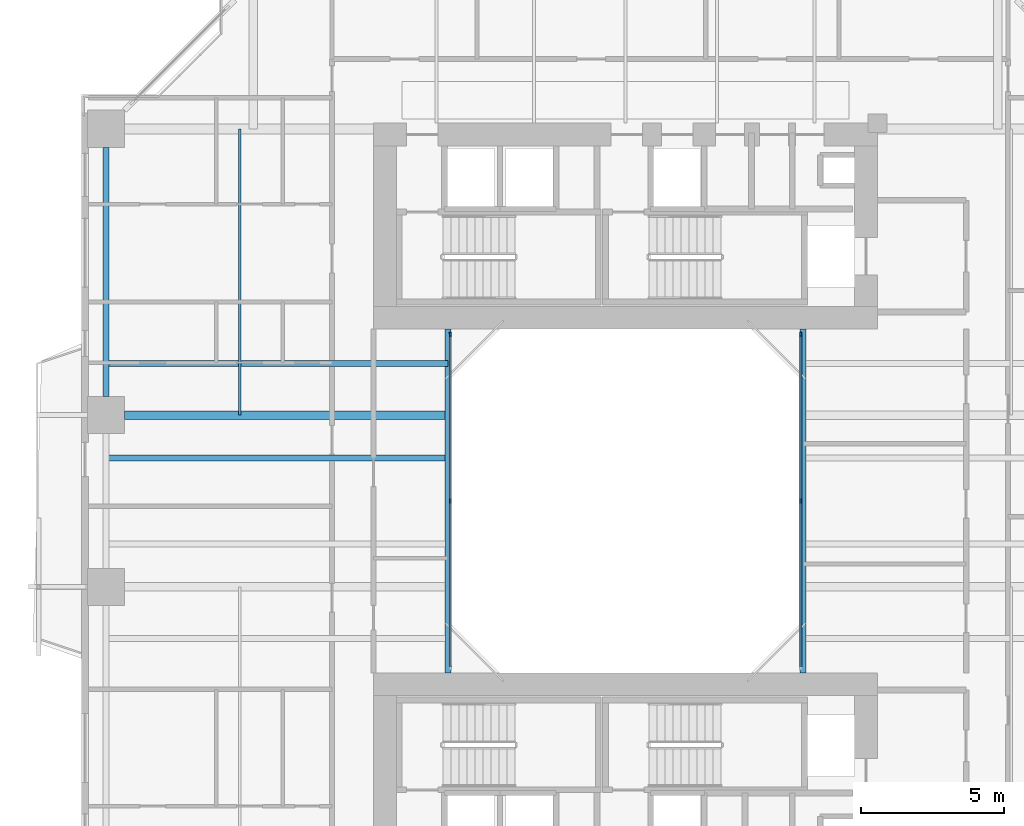
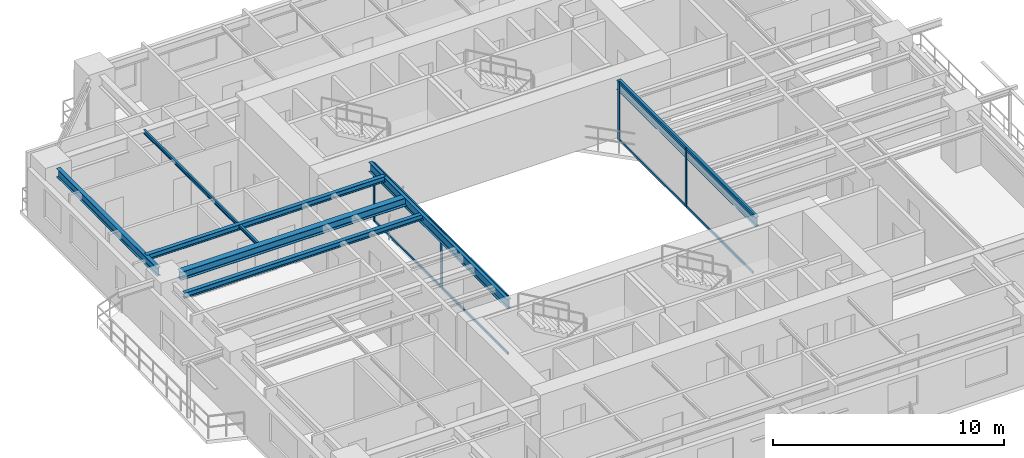
# One storey, part 4 of 24: 12 members, 7 beams, 2 elements without a shape of their own.
"""IFC4 building model written with IfcOpenShell, lengths in metres."""

from ifc_helpers import new_model, si_unit, direction, frame, origin, origin_2d, place, context, subcontext, project, spatial, rectangle, i_section, extrude, source, transform, mapped, material, layer, layer_set, material_profile, profile_set, type_object, element, aggregate, save


model = new_model("IFC4")

# Units and contexts
model_context = context("Model", 3, precision=1e-05, world=origin(), true_north=direction((0.0, 1.0)))
body_context = subcontext(model_context, "Body", "Model", "MODEL_VIEW")
ifc_project = project(units=[si_unit("LENGTHUNIT", "METRE"), si_unit("AREAUNIT", "SQUARE_METRE"), si_unit("VOLUMEUNIT", "CUBIC_METRE"), si_unit("PLANEANGLEUNIT", "RADIAN"), si_unit("MASSUNIT", "GRAM", prefix="KILO"), si_unit("THERMODYNAMICTEMPERATUREUNIT", "KELVIN"), si_unit("POWERUNIT", "WATT")], contexts=[model_context])

# Site, building, storey
site_placement = place(None, origin())
site = spatial("IfcSite", under=ifc_project, at=site_placement, CompositionType="ELEMENT")
building_placement = place(site_placement, origin())
building = spatial("IfcBuilding", under=site, at=building_placement, Name="Qiaomeng Ring Towers", CompositionType="ELEMENT")
storey_placement = place(building_placement, frame((0.0, 0.0, 63.25)))
storey = spatial("IfcBuildingStorey", under=building, at=storey_placement, Name="L17", CompositionType="ELEMENT", Elevation=63.25)

# Beams
ifc_material_1 = material(Name="Steel Q355B", Category="steel")
ifc_material_profile_1 = material_profile(ifc_material_1, i_section(OverallWidth=0.199951171875, OverallDepth=0.5, WebThickness=0.010009765625, FlangeThickness=0.01611328125, FilletRadius=0.02001953125, at=origin_2d()), Name="HN 500x200x10x16")
ifc_profile_set_1 = profile_set([ifc_material_profile_1], Name="Steel Q355B")
beam_type_1 = type_object("IfcBeamType", Name="STR-BM-HN500", PredefinedType="BEAM", material=ifc_profile_set_1)
shared_shape_1 = source(origin(), body_context, "Body", "SweptSolid", [
    extrude(i_section(OverallWidth=0.199951171875, OverallDepth=0.5, WebThickness=0.010009765625, FlangeThickness=0.01611328125, FilletRadius=0.02001953125, at=origin_2d()), origin(), (0.0, 0.0, 1.0), 12.0),
])
for number, where, z_axis, x_axis, name in (
    (1, (12.800048828125, 17.0, 2.820068359375), (0.0, 1.0, 0.0), (-1.0, 0.0, 0.0), "L17 beam STR-BM-L17-WELL-W"),
    (2, (25.199951171875, 17.0, 2.820068359375), (0.0, 1.0, 0.0), (-1.0, 0.0, 0.0), "L17 beam STR-BM-L17-WELL-E"),
):
    element("IfcBeam", number, at=place(storey_placement, frame(where, z_axis=z_axis, x_axis=x_axis)), inside=storey, type_object=beam_type_1, Name=name, PredefinedType="BEAM", context=body_context, shape_type="MappedRepresentation", body=[
        mapped(shared_shape_1, transform((0.0, 0.0, 0.0), x_axis=(1.0, 0.0, 0.0), y_axis=(0.0, 1.0, 0.0), z_axis=(0.0, 0.0, 1.0), scale=1.0)),
    ])
ifc_material_profile_2 = material_profile(ifc_material_1, i_section(OverallWidth=0.199951171875, OverallDepth=0.449951171875, WebThickness=0.009033203125, FlangeThickness=0.013916015625, FilletRadius=0.01806640625, at=origin_2d()), Name="HN 450x200x9x14")
ifc_profile_set_2 = profile_set([ifc_material_profile_2], Name="Steel Q355B")
beam_type_2 = type_object("IfcBeamType", Name="STR-BM-HN450", PredefinedType="SPANDREL", material=ifc_profile_set_2)
shared_shape_2 = source(origin(), body_context, "Body", "SweptSolid", [
    extrude(i_section(OverallWidth=0.199951171875, OverallDepth=0.449951171875, WebThickness=0.009033203125, FlangeThickness=0.013916015625, FilletRadius=0.01806640625, at=origin_2d()), origin(), (0.0, 0.0, 1.0), 8.7021484375),
])
beam_1_placement = place(storey_placement, frame((0.85009765625, 35.35107421875, 2.844970703125), z_axis=(0.0, -1.0, 0.0), x_axis=(1.0, 0.0, 0.0)))
element("IfcBeam", 3, at=beam_1_placement, inside=storey, type_object=beam_type_2, Name="L17 beam STR-SP-L17-T1-W4-W3", PredefinedType="SPANDREL", context=body_context, shape_type="MappedRepresentation", body=[
    mapped(shared_shape_2, transform((0.0, 0.0, 0.0), x_axis=(1.0, 0.0, 0.0), y_axis=(0.0, 1.0, 0.0), z_axis=(0.0, 0.0, 1.0), scale=1.0)),
])
ifc_material_profile_3 = material_profile(ifc_material_1, i_section(OverallWidth=0.300048828125, OverallDepth=0.43994140625, WebThickness=0.010986328125, FlangeThickness=0.01806640625, FilletRadius=0.02392578125, at=origin_2d()), Name="HM 440x300x11x18")
ifc_profile_set_3 = profile_set([ifc_material_profile_3], Name="Steel Q355B")
beam_type_3 = type_object("IfcBeamType", Name="STR-BM-HM440", PredefinedType="BEAM", material=ifc_profile_set_3)
shared_shape_3 = source(origin(), body_context, "Body", "SweptSolid", [
    extrude(i_section(OverallWidth=0.300048828125, OverallDepth=0.43994140625, WebThickness=0.010986328125, FlangeThickness=0.01806640625, FilletRadius=0.02392578125, at=origin_2d()), origin(), (0.0, 0.0, 1.0), 11.301025390625),
])
beam_2_placement = place(storey_placement, frame((1.4990234375, 26.0, 2.85009765625), z_axis=(1.0, 0.0, 0.0), x_axis=(0.0, 1.0, 0.0)))
element("IfcBeam", 4, at=beam_2_placement, inside=storey, type_object=beam_type_3, Name="L17 beam STR-BM-L17-T1-RAD-W3", PredefinedType="BEAM", context=body_context, shape_type="MappedRepresentation", body=[
    mapped(shared_shape_3, transform((0.0, 0.0, 0.0), x_axis=(1.0, 0.0, 0.0), y_axis=(0.0, 1.0, 0.0), z_axis=(0.0, 0.0, 1.0), scale=1.0)),
])
ifc_material_profile_4 = material_profile(ifc_material_1, i_section(OverallWidth=0.199951171875, OverallDepth=0.2939453125, WebThickness=0.008056640625, FlangeThickness=0.011962890625, FilletRadius=0.01806640625, at=origin_2d()), Name="HM 294x200x8x12")
ifc_profile_set_4 = profile_set([ifc_material_profile_4], Name="Steel Q355B")
beam_type_4 = type_object("IfcBeamType", Name="STR-BM-HM294", PredefinedType="JOIST", material=ifc_profile_set_4)
shared_shape_4 = source(origin(), body_context, "Body", "SweptSolid", [
    extrude(i_section(OverallWidth=0.199951171875, OverallDepth=0.2939453125, WebThickness=0.008056640625, FlangeThickness=0.011962890625, FilletRadius=0.01806640625, at=origin_2d()), origin(), (0.0, 0.0, 1.0), 11.949951171875),
])
for number, where, z_axis, x_axis, name in (
    (5, (0.85009765625, 24.5, 2.923095703125), (1.0, 0.0, 0.0), (0.0, 1.0, 0.0), "L17 beam STR-JST-L17-T1W-3"),
    (6, (0.85009765625, 27.800048828125, 2.923095703125), (1.0, 0.0, 0.0), (0.0, 1.0, 0.0), "L17 beam STR-JST-L17-T1W-4"),
):
    element("IfcBeam", number, at=place(storey_placement, frame(where, z_axis=z_axis, x_axis=x_axis)), inside=storey, type_object=beam_type_4, Name=name, PredefinedType="JOIST", context=body_context, shape_type="MappedRepresentation", body=[
        mapped(shared_shape_4, transform((0.0, 0.0, 0.0), x_axis=(1.0, 0.0, 0.0), y_axis=(0.0, 1.0, 0.0), z_axis=(0.0, 0.0, 1.0), scale=1.0)),
    ])
ifc_material_profile_5 = material_profile(ifc_material_1, i_section(OverallWidth=0.10009765625, OverallDepth=0.199951171875, WebThickness=0.005615234375, FlangeThickness=0.008056640625, FilletRadius=0.010986328125, at=origin_2d()), Name="HN 200x100x5.5x8")
ifc_profile_set_5 = profile_set([ifc_material_profile_5], Name="Steel Q355B")
beam_type_5 = type_object("IfcBeamType", Name="STR-BM-HN200", PredefinedType="JOIST", material=ifc_profile_set_5)
shared_shape_5 = source(origin(), body_context, "Body", "SweptSolid", [
    extrude(i_section(OverallWidth=0.10009765625, OverallDepth=0.199951171875, WebThickness=0.005615234375, FlangeThickness=0.008056640625, FilletRadius=0.010986328125, at=origin_2d()), origin(), (0.0, 0.0, 1.0), 10.0),
])
beam_3_placement = place(storey_placement, frame((5.52490234375, 26.0, 2.969970703125), z_axis=(0.0, 1.0, 0.0), x_axis=(-1.0, 0.0, 0.0)))
element("IfcBeam", 7, at=beam_3_placement, inside=storey, type_object=beam_type_5, Name="L17 beam STR-JST-L17-T1C-WN", PredefinedType="JOIST", context=body_context, shape_type="MappedRepresentation", body=[
    mapped(shared_shape_5, transform((0.0, 0.0, 0.0), x_axis=(1.0, 0.0, 0.0), y_axis=(0.0, 1.0, 0.0), z_axis=(0.0, 0.0, 1.0), scale=1.0)),
])

# Curtain wall, members
ifc_material_2 = material(Name="Fluorocarbon dark-grey aluminium", Category="aluminium")
ifc_layer = layer(ifc_material_2, 0.139892578125, Name="Fluorocarbon dark-grey aluminium")
ifc_layer_set = layer_set([ifc_layer], Name="Fluorocarbon dark-grey aluminium")
curtain_wall_type = type_object("IfcCurtainWallType", Name="ARC-CW-4", PredefinedType="NOTDEFINED", material=ifc_layer_set)
curtain_wall_1_placement = place(storey_placement, origin())
curtain_wall_1 = element("IfcCurtainWall", 8, at=curtain_wall_1_placement, inside=storey, type_object=curtain_wall_type, Name="L17 Curtain Wall CW4", PredefinedType="NOTDEFINED")
ifc_material_profile_6 = material_profile(ifc_material_2, rectangle(XDim=0.06494140625, YDim=0.159912109375, at=origin_2d()), Name="ALU MULL 65x160")
ifc_profile_set_6 = profile_set([ifc_material_profile_6], Name="Fluorocarbon dark-grey aluminium")
member_type_1 = type_object("IfcMemberType", Name="ARC-CWM-140", PredefinedType="MULLION", material=ifc_profile_set_6)
shared_shape_6 = source(origin(), body_context, "Body", "SweptSolid", [
    extrude(rectangle(XDim=0.06494140625, YDim=0.159912109375, at=origin_2d()), origin(), (0.0, 0.0, 1.0), 3.070068359375),
])
member_1_placement = place(storey_placement, frame((12.8798828125, 23.0, 0.0), z_axis=(0.0, 0.0, 1.0), x_axis=(-1.0, 0.0, 0.0)))
member_1 = element("IfcMember", 9, at=member_1_placement, type_object=member_type_1, Name="CW4 mullion 2", PredefinedType="MULLION", context=body_context, shape_type="MappedRepresentation", body=[
    mapped(shared_shape_6, transform((0.0, 0.0, 0.0), x_axis=(1.0, 0.0, 0.0), y_axis=(0.0, 1.0, 0.0), z_axis=(0.0, 0.0, 1.0), scale=1.0)),
])
member_2_placement = place(storey_placement, frame((12.8798828125, 28.8173828125, 0.0), z_axis=(0.0, 0.0, 1.0), x_axis=(-1.0, 0.0, 0.0)))
member_2 = element("IfcMember", 10, at=member_2_placement, type_object=member_type_1, Name="CW4 mullion 3", PredefinedType="MULLION", context=body_context, shape_type="MappedRepresentation", body=[
    mapped(shared_shape_6, transform((0.0, 0.0, 0.0), x_axis=(1.0, 0.0, 0.0), y_axis=(0.0, 1.0, 0.0), z_axis=(0.0, 0.0, 1.0), scale=1.0)),
])

curtain_wall_2_placement = place(storey_placement, origin())
curtain_wall_2 = element("IfcCurtainWall", 11, at=curtain_wall_2_placement, inside=storey, type_object=curtain_wall_type, Name="L17 Curtain Wall CW4", PredefinedType="NOTDEFINED")
member_3_placement = place(storey_placement, frame((25.1201171875, 23.0, 0.0), z_axis=(0.0, 0.0, 1.0), x_axis=(-1.0, 0.0, 0.0)))
member_3 = element("IfcMember", 12, at=member_3_placement, type_object=member_type_1, Name="CW4 mullion 2", PredefinedType="MULLION", context=body_context, shape_type="MappedRepresentation", body=[
    mapped(shared_shape_6, transform((0.0, 0.0, 0.0), x_axis=(1.0, 0.0, 0.0), y_axis=(0.0, 1.0, 0.0), z_axis=(0.0, 0.0, 1.0), scale=1.0)),
])
member_4_placement = place(storey_placement, frame((25.1201171875, 28.8173828125, 0.0), z_axis=(0.0, 0.0, 1.0), x_axis=(-1.0, 0.0, 0.0)))
member_4 = element("IfcMember", 13, at=member_4_placement, type_object=member_type_1, Name="CW4 mullion 3", PredefinedType="MULLION", context=body_context, shape_type="MappedRepresentation", body=[
    mapped(shared_shape_6, transform((0.0, 0.0, 0.0), x_axis=(1.0, 0.0, 0.0), y_axis=(0.0, 1.0, 0.0), z_axis=(0.0, 0.0, 1.0), scale=1.0)),
])

# Member
ifc_material_profile_7 = material_profile(ifc_material_2, rectangle(XDim=0.06494140625, YDim=0.1298828125, at=origin_2d()), Name="ALU TRAN 65x130")
ifc_profile_set_7 = profile_set([ifc_material_profile_7], Name="Fluorocarbon dark-grey aluminium")
member_type_2 = type_object("IfcMemberType", Name="ARC-CWT-120", PredefinedType="USERDEFINED", material=ifc_profile_set_7)
shared_shape_7 = source(origin(), body_context, "Body", "SweptSolid", [
    extrude(rectangle(XDim=0.06494140625, YDim=0.1298828125, at=origin_2d()), origin(), (0.0, 0.0, 1.0), 5.75244140625),
])
member_5_placement = place(storey_placement, frame((12.8798828125, 17.215087890625, 0.032470703125), z_axis=(0.0, 1.0, 0.0), x_axis=(-1.0, 0.0, 0.0)))
member_5 = element("IfcMember", 14, at=member_5_placement, type_object=member_type_2, Name="CW4 transom 1.1", ObjectType="TRANSOM", PredefinedType="USERDEFINED", context=body_context, shape_type="MappedRepresentation", body=[
    mapped(shared_shape_7, transform((0.0, 0.0, 0.0), x_axis=(1.0, 0.0, 0.0), y_axis=(0.0, 1.0, 0.0), z_axis=(0.0, 0.0, 1.0), scale=1.0)),
])

member_6_placement = place(storey_placement, frame((12.8798828125, 17.215087890625, 3.03759765625), z_axis=(0.0, 1.0, 0.0), x_axis=(-1.0, 0.0, 0.0)))
member_6 = element("IfcMember", 15, at=member_6_placement, type_object=member_type_2, Name="CW4 transom 1.2", ObjectType="TRANSOM", PredefinedType="USERDEFINED", context=body_context, shape_type="MappedRepresentation", body=[
    mapped(shared_shape_7, transform((0.0, 0.0, 0.0), x_axis=(1.0, 0.0, 0.0), y_axis=(0.0, 1.0, 0.0), z_axis=(0.0, 0.0, 1.0), scale=1.0)),
])

member_7_placement = place(storey_placement, frame((12.8798828125, 23.032470703125, 0.032470703125), z_axis=(0.0, 1.0, 0.0), x_axis=(-1.0, 0.0, 0.0)))
member_7 = element("IfcMember", 16, at=member_7_placement, type_object=member_type_2, Name="CW4 transom 2.1", ObjectType="TRANSOM", PredefinedType="USERDEFINED", context=body_context, shape_type="MappedRepresentation", body=[
    mapped(shared_shape_7, transform((0.0, 0.0, 0.0), x_axis=(1.0, 0.0, 0.0), y_axis=(0.0, 1.0, 0.0), z_axis=(0.0, 0.0, 1.0), scale=1.0)),
])

member_8_placement = place(storey_placement, frame((12.8798828125, 23.032470703125, 3.03759765625), z_axis=(0.0, 1.0, 0.0), x_axis=(-1.0, 0.0, 0.0)))
member_8 = element("IfcMember", 17, at=member_8_placement, type_object=member_type_2, Name="CW4 transom 2.2", ObjectType="TRANSOM", PredefinedType="USERDEFINED", context=body_context, shape_type="MappedRepresentation", body=[
    mapped(shared_shape_7, transform((0.0, 0.0, 0.0), x_axis=(1.0, 0.0, 0.0), y_axis=(0.0, 1.0, 0.0), z_axis=(0.0, 0.0, 1.0), scale=1.0)),
])

aggregate(curtain_wall_1, [member_1, member_2, member_5, member_6, member_7, member_8])

member_9_placement = place(storey_placement, frame((25.1201171875, 17.215087890625, 0.032470703125), z_axis=(0.0, 1.0, 0.0), x_axis=(-1.0, 0.0, 0.0)))
member_9 = element("IfcMember", 18, at=member_9_placement, type_object=member_type_2, Name="CW4 transom 1.1", ObjectType="TRANSOM", PredefinedType="USERDEFINED", context=body_context, shape_type="MappedRepresentation", body=[
    mapped(shared_shape_7, transform((0.0, 0.0, 0.0), x_axis=(1.0, 0.0, 0.0), y_axis=(0.0, 1.0, 0.0), z_axis=(0.0, 0.0, 1.0), scale=1.0)),
])

member_10_placement = place(storey_placement, frame((25.1201171875, 17.215087890625, 3.03759765625), z_axis=(0.0, 1.0, 0.0), x_axis=(-1.0, 0.0, 0.0)))
member_10 = element("IfcMember", 19, at=member_10_placement, type_object=member_type_2, Name="CW4 transom 1.2", ObjectType="TRANSOM", PredefinedType="USERDEFINED", context=body_context, shape_type="MappedRepresentation", body=[
    mapped(shared_shape_7, transform((0.0, 0.0, 0.0), x_axis=(1.0, 0.0, 0.0), y_axis=(0.0, 1.0, 0.0), z_axis=(0.0, 0.0, 1.0), scale=1.0)),
])

member_11_placement = place(storey_placement, frame((25.1201171875, 23.032470703125, 0.032470703125), z_axis=(0.0, 1.0, 0.0), x_axis=(-1.0, 0.0, 0.0)))
member_11 = element("IfcMember", 20, at=member_11_placement, type_object=member_type_2, Name="CW4 transom 2.1", ObjectType="TRANSOM", PredefinedType="USERDEFINED", context=body_context, shape_type="MappedRepresentation", body=[
    mapped(shared_shape_7, transform((0.0, 0.0, 0.0), x_axis=(1.0, 0.0, 0.0), y_axis=(0.0, 1.0, 0.0), z_axis=(0.0, 0.0, 1.0), scale=1.0)),
])

member_12_placement = place(storey_placement, frame((25.1201171875, 23.032470703125, 3.03759765625), z_axis=(0.0, 1.0, 0.0), x_axis=(-1.0, 0.0, 0.0)))
member_12 = element("IfcMember", 21, at=member_12_placement, type_object=member_type_2, Name="CW4 transom 2.2", ObjectType="TRANSOM", PredefinedType="USERDEFINED", context=body_context, shape_type="MappedRepresentation", body=[
    mapped(shared_shape_7, transform((0.0, 0.0, 0.0), x_axis=(1.0, 0.0, 0.0), y_axis=(0.0, 1.0, 0.0), z_axis=(0.0, 0.0, 1.0), scale=1.0)),
])

aggregate(curtain_wall_2, [member_3, member_4, member_9, member_10, member_11, member_12])

save(model, "model.ifc")
